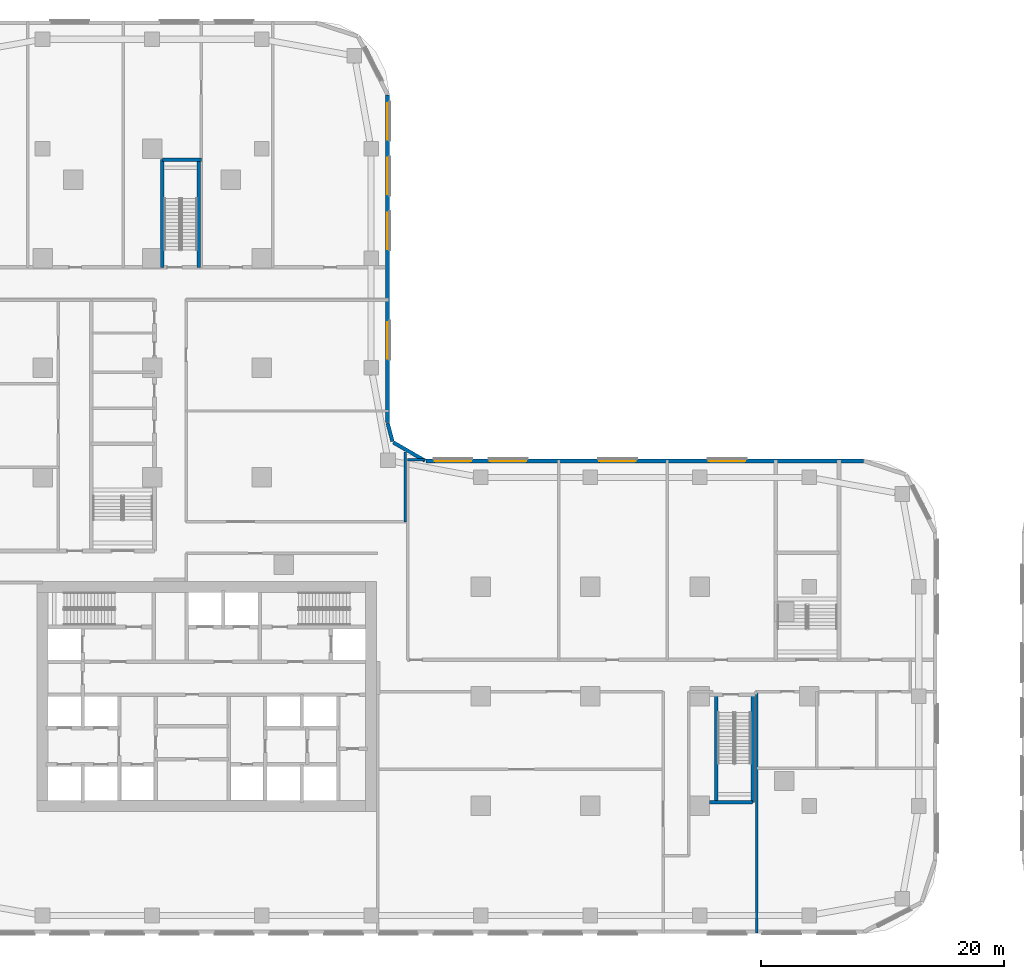
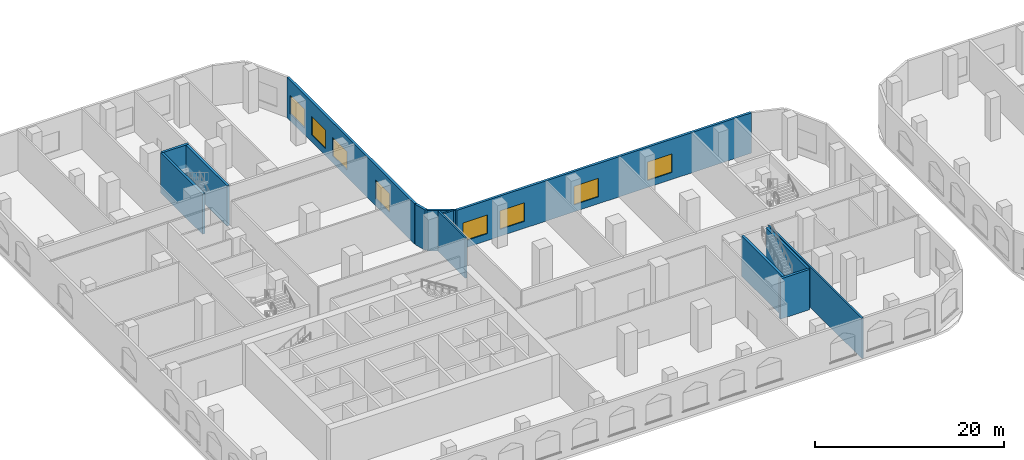
# One storey, part 7 of 31: 13 walls, 8 windows, 8 openings.
"""IFC4 building model written with IfcOpenShell, lengths in metres."""

from ifc_helpers import new_model, si_unit, direction, frame, frame_2d, origin, place, context, subcontext, project, spatial, rectangle, extrude, material, layer, layer_set, type_object, element, fill, save


model = new_model("IFC4")

# Units and contexts
model_context = context("Model", 3, precision=1e-05, world=origin(), true_north=direction((0.0, 1.0)))
body_context = subcontext(model_context, "Body", "Model", "MODEL_VIEW")
ifc_project = project(units=[si_unit("LENGTHUNIT", "METRE"), si_unit("AREAUNIT", "SQUARE_METRE"), si_unit("VOLUMEUNIT", "CUBIC_METRE"), si_unit("PLANEANGLEUNIT", "RADIAN"), si_unit("MASSUNIT", "GRAM", prefix="KILO")], contexts=[model_context])

# Site, building, storey
site_placement = place(None, origin())
site = spatial("IfcSite", under=ifc_project, at=site_placement, CompositionType="ELEMENT")
building_placement = place(site_placement, origin())
building = spatial("IfcBuilding", under=site, at=building_placement, Name="Ogive Portal Towers", CompositionType="ELEMENT")
storey_placement = place(building_placement, frame((0.0, 0.0, 8.0)))
storey = spatial("IfcBuildingStorey", under=building, at=storey_placement, Name="L01", CompositionType="ELEMENT", Elevation=8.0)

# Wall, openings, windows
ifc_material_1 = material(Name="Limestone cladding on lightweight block wall", Category="masonry")
ifc_layer_1 = layer(ifc_material_1, 0.300048828125)
ifc_layer_set_1 = layer_set([ifc_layer_1], Name="EXTERNAL WALL 300 STONE")
wall_type_1 = type_object("IfcWallType", Name="EXTERNAL WALL 300 STONE", PredefinedType="SOLIDWALL", material=ifc_layer_set_1)
wall_1_placement = place(storey_placement, frame((98.952392578125, 49.85009765625, 0.0), z_axis=(0.0, 0.0, 1.0), x_axis=(-1.0, 0.0, 0.0)))
wall_1 = element("IfcWall", 1, at=wall_1_placement, inside=storey, type_object=wall_type_1, Name="A:L01:f08:w0", PredefinedType="SOLIDWALL", context=body_context, shape_type="SweptSolid", body=[
    extrude(rectangle(XDim=35.952392578125, YDim=0.300048828125, at=frame_2d((17.97607421875, 0.0))), origin(), (0.0, 0.0, 1.0), 5.199951171875),
])
opening_1_placement = place(wall_1_placement, frame((9.702392578125, 0.0, 0.89990234375)))
opening_1 = element("IfcOpeningElement", 2, at=opening_1_placement, cuts=wall_1, Name="Opening WN3", PredefinedType="OPENING", context=body_context, shape_type="SweptSolid", body=[
    extrude(rectangle(XDim=3.0, YDim=2.39990234375, at=frame_2d((1.5, 1.199951171875))), frame((0.0, 0.16015625, 0.0), z_axis=(0.0, -1.0, 0.0), x_axis=(1.0, 0.0, 0.0)), (0.0, 0.0, 1.0), 0.320068359375),
])
opening_2_placement = place(wall_1_placement, frame((18.702392578125, 0.0, 0.89990234375)))
opening_2 = element("IfcOpeningElement", 3, at=opening_2_placement, cuts=wall_1, Name="Opening WN3", PredefinedType="OPENING", context=body_context, shape_type="SweptSolid", body=[
    extrude(rectangle(XDim=3.0, YDim=2.39990234375, at=frame_2d((1.5, 1.199951171875))), frame((0.0, 0.16015625, 0.0), z_axis=(0.0, -1.0, 0.0), x_axis=(1.0, 0.0, 0.0)), (0.0, 0.0, 1.0), 0.320068359375),
])
opening_3_placement = place(wall_1_placement, frame((27.702392578125, 0.0, 0.89990234375)))
opening_3 = element("IfcOpeningElement", 4, at=opening_3_placement, cuts=wall_1, Name="Opening WN3", PredefinedType="OPENING", context=body_context, shape_type="SweptSolid", body=[
    extrude(rectangle(XDim=3.0, YDim=2.39990234375, at=frame_2d((1.5, 1.199951171875))), frame((0.0, 0.16015625, 0.0), z_axis=(0.0, -1.0, 0.0), x_axis=(1.0, 0.0, 0.0)), (0.0, 0.0, 1.0), 0.320068359375),
])
opening_4_placement = place(wall_1_placement, frame((32.226318359375, 0.0, 0.89990234375)))
opening_4 = element("IfcOpeningElement", 5, at=opening_4_placement, cuts=wall_1, Name="Opening WN3", PredefinedType="OPENING", context=body_context, shape_type="SweptSolid", body=[
    extrude(rectangle(XDim=3.0, YDim=2.39990234375, at=frame_2d((1.5, 1.199951171875))), frame((0.0, 0.16015625, 0.0), z_axis=(0.0, -1.0, 0.0), x_axis=(1.0, 0.0, 0.0)), (0.0, 0.0, 1.0), 0.320068359375),
])
ifc_material_2 = material(Name="Glass, clear low-iron insulated glazing", Category="glass")
window_type = type_object("IfcWindowType", Name="WINDOW PODIUM 3000x2400", PartitioningType="SINGLE_PANEL", PredefinedType="WINDOW", material=ifc_material_2)
window_1_placement = place(opening_1_placement, origin())
window_1 = element("IfcWindow", 6, at=window_1_placement, inside=storey, type_object=window_type, Name="A:L01:f08:w0:o1b", OverallHeight=2.39990234375, OverallWidth=3.0, PartitioningType="SINGLE_PANEL", PredefinedType="WINDOW", context=body_context, shape_type="SweptSolid", body=[
    extrude(rectangle(XDim=3.0, YDim=2.39990234375, at=frame_2d((1.5, 1.199951171875))), frame((0.0, 0.030029296875, 0.0), z_axis=(0.0, -1.0, 0.0), x_axis=(1.0, 0.0, 0.0)), (0.0, 0.0, 1.0), 0.06005859375),
])
fill(opening_1, window_1)
window_2_placement = place(opening_2_placement, origin())
window_2 = element("IfcWindow", 7, at=window_2_placement, inside=storey, type_object=window_type, Name="A:L01:f08:w0:o2b", OverallHeight=2.39990234375, OverallWidth=3.0, PartitioningType="SINGLE_PANEL", PredefinedType="WINDOW", context=body_context, shape_type="SweptSolid", body=[
    extrude(rectangle(XDim=3.0, YDim=2.39990234375, at=frame_2d((1.5, 1.199951171875))), frame((0.0, 0.030029296875, 0.0), z_axis=(0.0, -1.0, 0.0), x_axis=(1.0, 0.0, 0.0)), (0.0, 0.0, 1.0), 0.06005859375),
])
fill(opening_2, window_2)
window_3_placement = place(opening_3_placement, origin())
window_3 = element("IfcWindow", 8, at=window_3_placement, inside=storey, type_object=window_type, Name="A:L01:f08:w0:o3b", OverallHeight=2.39990234375, OverallWidth=3.0, PartitioningType="SINGLE_PANEL", PredefinedType="WINDOW", context=body_context, shape_type="SweptSolid", body=[
    extrude(rectangle(XDim=3.0, YDim=2.39990234375, at=frame_2d((1.5, 1.199951171875))), frame((0.0, 0.030029296875, 0.0), z_axis=(0.0, -1.0, 0.0), x_axis=(1.0, 0.0, 0.0)), (0.0, 0.0, 1.0), 0.06005859375),
])
fill(opening_3, window_3)
window_4_placement = place(opening_4_placement, origin())
window_4 = element("IfcWindow", 9, at=window_4_placement, inside=storey, type_object=window_type, Name="A:L01:f08:w0:o4", OverallHeight=2.39990234375, OverallWidth=3.0, PartitioningType="SINGLE_PANEL", PredefinedType="WINDOW", context=body_context, shape_type="SweptSolid", body=[
    extrude(rectangle(XDim=3.0, YDim=2.39990234375, at=frame_2d((1.5, 1.199951171875))), frame((0.0, 0.030029296875, 0.0), z_axis=(0.0, -1.0, 0.0), x_axis=(1.0, 0.0, 0.0)), (0.0, 0.0, 1.0), 0.06005859375),
])
fill(opening_4, window_4)

# Walls
wall_2_placement = place(storey_placement, frame((62.925048828125, 49.8701171875, 0.0), z_axis=(0.0, 0.0, 1.0), x_axis=(-0.866031096941, 0.499990139034, 0.0)))
element("IfcWall", 10, at=wall_2_placement, inside=storey, type_object=wall_type_1, Name="A:L01:f09:w0", PredefinedType="SOLIDWALL", context=body_context, shape_type="SweptSolid", body=[
    extrude(rectangle(XDim=3.0, YDim=0.300048828125, at=frame_2d((1.5, 0.0))), origin(), (0.0, 0.0, 1.0), 5.199951171875),
])
wall_3_placement = place(storey_placement, frame((60.257080078125, 51.461181640625, 0.0), z_axis=(0.0, 0.0, 1.0), x_axis=(-0.258777996848, 0.965936824201, 0.0)))
element("IfcWall", 11, at=wall_3_placement, inside=storey, type_object=wall_type_1, Name="A:L01:f10:w0", PredefinedType="SOLIDWALL", context=body_context, shape_type="SweptSolid", body=[
    extrude(rectangle(XDim=1.552978515625, YDim=0.300048828125, at=frame_2d((0.7763671875, 0.0))), origin(), (0.0, 0.0, 1.0), 5.199951171875),
])

# Wall, openings, windows
wall_4_placement = place(storey_placement, frame((59.85009765625, 53.0, 0.0), z_axis=(0.0, 0.0, 1.0), x_axis=(0.0, 1.0, 0.0)))
wall_4 = element("IfcWall", 12, at=wall_4_placement, inside=storey, type_object=wall_type_1, Name="A:L01:f11:w0", PredefinedType="SOLIDWALL", context=body_context, shape_type="SweptSolid", body=[
    extrude(rectangle(XDim=26.927978515625, YDim=0.300048828125, at=frame_2d((13.4638671875, 0.0))), origin(), (0.0, 0.0, 1.0), 5.199951171875),
])
opening_5_placement = place(wall_4_placement, frame((5.25, 0.0, 0.89990234375)))
opening_5 = element("IfcOpeningElement", 13, at=opening_5_placement, cuts=wall_4, Name="Opening WN3", PredefinedType="OPENING", context=body_context, shape_type="SweptSolid", body=[
    extrude(rectangle(XDim=3.0, YDim=2.39990234375, at=frame_2d((1.5, 1.199951171875))), frame((0.0, 0.16015625, 0.0), z_axis=(0.0, -1.0, 0.0), x_axis=(1.0, 0.0, 0.0)), (0.0, 0.0, 1.0), 0.320068359375),
])
opening_6_placement = place(wall_4_placement, frame((14.25, 0.0, 0.89990234375)))
opening_6 = element("IfcOpeningElement", 14, at=opening_6_placement, cuts=wall_4, Name="Opening WN3", PredefinedType="OPENING", context=body_context, shape_type="SweptSolid", body=[
    extrude(rectangle(XDim=3.0, YDim=2.39990234375, at=frame_2d((1.5, 1.199951171875))), frame((0.0, 0.16015625, 0.0), z_axis=(0.0, -1.0, 0.0), x_axis=(1.0, 0.0, 0.0)), (0.0, 0.0, 1.0), 0.320068359375),
])
opening_7_placement = place(wall_4_placement, frame((18.75, 0.0, 0.89990234375)))
opening_7 = element("IfcOpeningElement", 15, at=opening_7_placement, cuts=wall_4, Name="Opening WN3", PredefinedType="OPENING", context=body_context, shape_type="SweptSolid", body=[
    extrude(rectangle(XDim=3.0, YDim=2.39990234375, at=frame_2d((1.5, 1.199951171875))), frame((0.0, 0.16015625, 0.0), z_axis=(0.0, -1.0, 0.0), x_axis=(1.0, 0.0, 0.0)), (0.0, 0.0, 1.0), 0.320068359375),
])
opening_8_placement = place(wall_4_placement, frame((23.25, 0.0, 0.89990234375)))
opening_8 = element("IfcOpeningElement", 16, at=opening_8_placement, cuts=wall_4, Name="Opening WN3", PredefinedType="OPENING", context=body_context, shape_type="SweptSolid", body=[
    extrude(rectangle(XDim=3.0, YDim=2.39990234375, at=frame_2d((1.5, 1.199951171875))), frame((0.0, 0.16015625, 0.0), z_axis=(0.0, -1.0, 0.0), x_axis=(1.0, 0.0, 0.0)), (0.0, 0.0, 1.0), 0.320068359375),
])
window_5_placement = place(opening_5_placement, origin())
window_5 = element("IfcWindow", 17, at=window_5_placement, inside=storey, type_object=window_type, Name="A:L01:f11:w0:o1a", OverallHeight=2.39990234375, OverallWidth=3.0, PartitioningType="SINGLE_PANEL", PredefinedType="WINDOW", context=body_context, shape_type="SweptSolid", body=[
    extrude(rectangle(XDim=3.0, YDim=2.39990234375, at=frame_2d((1.5, 1.199951171875))), frame((0.0, 0.030029296875, 0.0), z_axis=(0.0, -1.0, 0.0), x_axis=(1.0, 0.0, 0.0)), (0.0, 0.0, 1.0), 0.06005859375),
])
fill(opening_5, window_5)
window_6_placement = place(opening_6_placement, origin())
window_6 = element("IfcWindow", 18, at=window_6_placement, inside=storey, type_object=window_type, Name="A:L01:f11:w0:o2a", OverallHeight=2.39990234375, OverallWidth=3.0, PartitioningType="SINGLE_PANEL", PredefinedType="WINDOW", context=body_context, shape_type="SweptSolid", body=[
    extrude(rectangle(XDim=3.0, YDim=2.39990234375, at=frame_2d((1.5, 1.199951171875))), frame((0.0, 0.030029296875, 0.0), z_axis=(0.0, -1.0, 0.0), x_axis=(1.0, 0.0, 0.0)), (0.0, 0.0, 1.0), 0.06005859375),
])
fill(opening_6, window_6)
window_7_placement = place(opening_7_placement, origin())
window_7 = element("IfcWindow", 19, at=window_7_placement, inside=storey, type_object=window_type, Name="A:L01:f11:w0:o2b", OverallHeight=2.39990234375, OverallWidth=3.0, PartitioningType="SINGLE_PANEL", PredefinedType="WINDOW", context=body_context, shape_type="SweptSolid", body=[
    extrude(rectangle(XDim=3.0, YDim=2.39990234375, at=frame_2d((1.5, 1.199951171875))), frame((0.0, 0.030029296875, 0.0), z_axis=(0.0, -1.0, 0.0), x_axis=(1.0, 0.0, 0.0)), (0.0, 0.0, 1.0), 0.06005859375),
])
fill(opening_7, window_7)
window_8_placement = place(opening_8_placement, origin())
window_8 = element("IfcWindow", 20, at=window_8_placement, inside=storey, type_object=window_type, Name="A:L01:f11:w0:o3", OverallHeight=2.39990234375, OverallWidth=3.0, PartitioningType="SINGLE_PANEL", PredefinedType="WINDOW", context=body_context, shape_type="SweptSolid", body=[
    extrude(rectangle(XDim=3.0, YDim=2.39990234375, at=frame_2d((1.5, 1.199951171875))), frame((0.0, 0.030029296875, 0.0), z_axis=(0.0, -1.0, 0.0), x_axis=(1.0, 0.0, 0.0)), (0.0, 0.0, 1.0), 0.06005859375),
])
fill(opening_8, window_8)

# Walls
ifc_material_3 = material(Name="Concrete C50/60", Category="concrete")
ifc_layer_2 = layer(ifc_material_3, 0.300048828125)
ifc_layer_set_2 = layer_set([ifc_layer_2], Name="STAIR WALL 300 C50")
wall_type_2 = type_object("IfcWallType", Name="STAIR WALL 300 C50", PredefinedType="SHEAR", material=ifc_layer_set_2)
wall_5_placement = place(storey_placement, frame((86.300048828125, 21.800048828125, 0.0), z_axis=(0.0, 0.0, 1.0), x_axis=(1.0, 0.0, 0.0)))
element("IfcWall", 21, at=wall_5_placement, inside=storey, type_object=wall_type_2, Name="Stair wall ST-A4 L01", PredefinedType="SHEAR", context=body_context, shape_type="SweptSolid", body=[
    extrude(rectangle(XDim=3.550048828125, YDim=0.300048828125, at=frame_2d((1.77490234375, 0.0))), origin(), (0.0, 0.0, 1.0), 5.199951171875),
])
wall_6_placement = place(storey_placement, frame((41.35009765625, 74.60009765625, 0.0), z_axis=(0.0, 0.0, 1.0), x_axis=(1.0, 0.0, 0.0)))
element("IfcWall", 22, at=wall_6_placement, inside=storey, type_object=wall_type_2, Name="Stair wall ST-A3 L01", PredefinedType="SHEAR", context=body_context, shape_type="SweptSolid", body=[
    extrude(rectangle(XDim=3.199951171875, YDim=0.300048828125, at=frame_2d((1.60009765625, 0.0))), origin(), (0.0, 0.0, 1.0), 5.199951171875),
])
for number, where, z_axis, x_axis, name in (
    (23, (41.35009765625, 65.75, 0.0), (0.0, 0.0, 1.0), (0.0, 1.0, 0.0), "Stair wall ST-A3 L01"),
    (24, (44.35009765625, 65.75, 0.0), (0.0, 0.0, 1.0), (0.0, 1.0, 0.0), "Stair wall ST-A3 L01"),
):
    element("IfcWall", number, at=place(storey_placement, frame(where, z_axis=z_axis, x_axis=x_axis)), inside=storey, type_object=wall_type_2, Name=name, PredefinedType="SHEAR", context=body_context, shape_type="SweptSolid", body=[
        extrude(rectangle(XDim=8.85009765625, YDim=0.300048828125, at=frame_2d((4.425048828125, 0.0))), origin(), (0.0, 0.0, 1.0), 5.199951171875),
    ])
for number, where, z_axis, x_axis, name in (
    (25, (86.85009765625, 21.800048828125, 0.0), (0.0, 0.0, 1.0), (0.0, 1.0, 0.0), "Stair wall ST-A4 L01"),
    (26, (89.85009765625, 21.800048828125, 0.0), (0.0, 0.0, 1.0), (0.0, 1.0, 0.0), "Stair wall ST-A4 L01"),
):
    element("IfcWall", number, at=place(storey_placement, frame(where, z_axis=z_axis, x_axis=x_axis)), inside=storey, type_object=wall_type_2, Name=name, PredefinedType="SHEAR", context=body_context, shape_type="SweptSolid", body=[
        extrude(rectangle(XDim=8.849853515625, YDim=0.300048828125, at=frame_2d((4.4248046875, 0.0))), origin(), (0.0, 0.0, 1.0), 5.199951171875),
    ])
ifc_material_4 = material(Name="Gypsum board partition on steel studs", Category="steel")
ifc_layer_3 = layer(ifc_material_4, 0.199951171875)
ifc_layer_set_3 = layer_set([ifc_layer_3], Name="WT-PART-200-EI 60")
wall_type_3 = type_object("IfcWallType", Name="WT-PART-200-EI 60", PredefinedType="PARTITIONING", material=ifc_layer_set_3)
wall_7_placement = place(storey_placement, frame((61.5, 49.949951171875, 0.0), z_axis=(0.0, 0.0, 1.0), x_axis=(1.0, 0.0, 0.0)))
element("IfcWall", 27, at=wall_7_placement, inside=storey, type_object=wall_type_3, Name="Wall L01:w032", PredefinedType="PARTITIONING", context=body_context, shape_type="SweptSolid", body=[
    extrude(rectangle(XDim=1.416015625, YDim=0.199951171875, at=frame_2d((0.7080078125, 0.0))), origin(), (0.0, 0.0, 1.0), 5.199951171875),
])
wall_8_placement = place(storey_placement, frame((61.300048828125, 44.85009765625, 0.0), z_axis=(0.0, 0.0, 1.0), x_axis=(0.0, 1.0, 0.0)))
element("IfcWall", 28, at=wall_8_placement, inside=storey, type_object=wall_type_3, Name="Wall L01:w079", PredefinedType="PARTITIONING", context=body_context, shape_type="SweptSolid", body=[
    extrude(rectangle(XDim=5.741943359375, YDim=0.199951171875, at=frame_2d((2.87109375, 0.0))), origin(), (0.0, 0.0, 1.0), 5.199951171875),
])
wall_9_placement = place(storey_placement, frame((90.199951171875, 11.070068359375, 0.0), z_axis=(0.0, 0.0, 1.0), x_axis=(0.0, 1.0, 0.0)))
element("IfcWall", 29, at=wall_9_placement, inside=storey, type_object=wall_type_3, Name="Wall L01:w089", PredefinedType="PARTITIONING", context=body_context, shape_type="SweptSolid", body=[
    extrude(rectangle(XDim=19.829833984375, YDim=0.199951171875, at=frame_2d((9.9150390625, 0.0))), origin(), (0.0, 0.0, 1.0), 5.199951171875),
])

save(model, "model.ifc")
